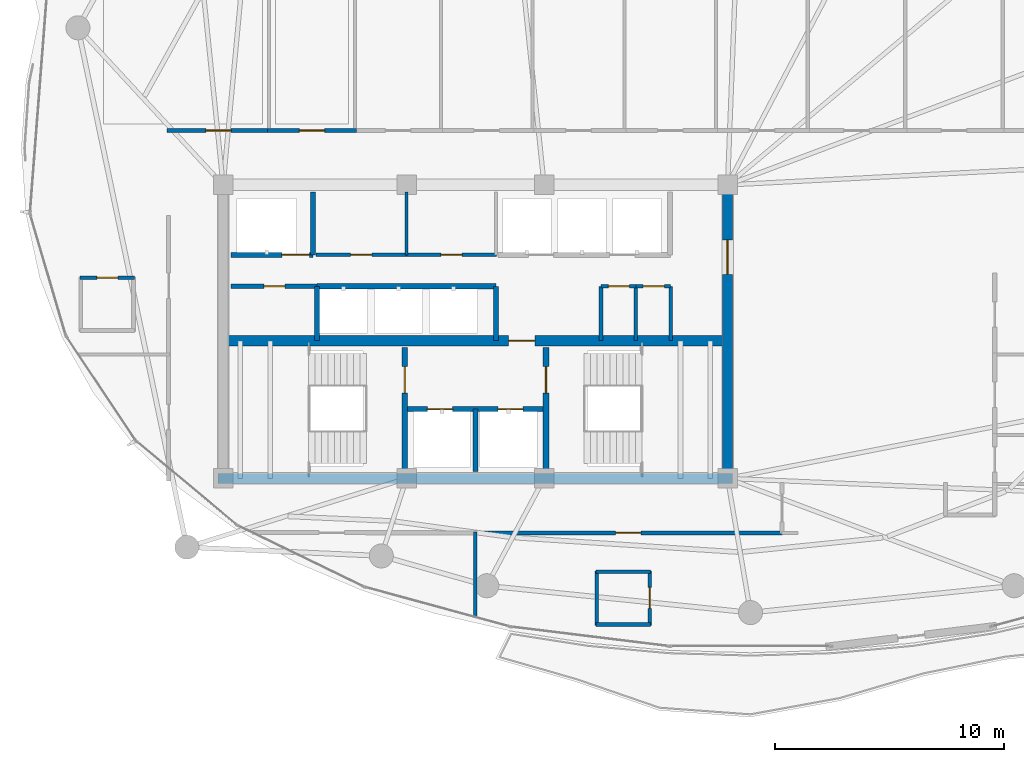
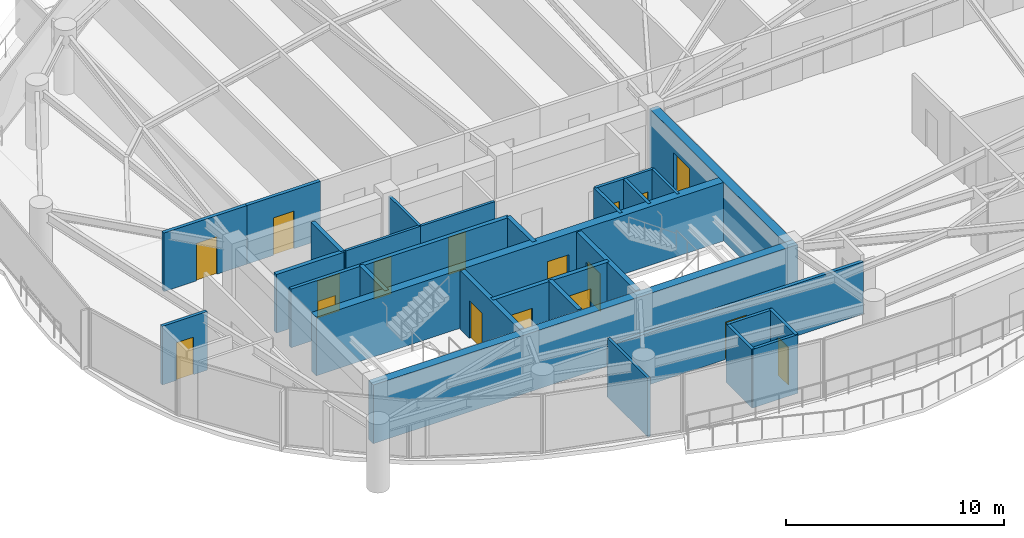
# One storey, part 25 of 31: 30 walls, 17 doors, 17 openings.
"""IFC4 building model written with IfcOpenShell, lengths in metres."""

import ifcopenshell
import ifcopenshell.guid

model = None  # the IFC model being written
_history = None  # IfcOwnerHistory: only IFC2X3 demands one
_inside = {}  # id of a spatial element -> (the spatial element, [elements in it])
_under = {}  # id of a project, library or spatial element -> (it, [spatial elements below it])
_declared = {}  # id of a project -> (the project, [libraries it declares])
_typed = {}  # id of a type object -> (the type object, [elements of that type])
_made_of = {}  # id of a material, layer set ... -> (it, [elements and type objects made of it])


def new_model(schema):
    """Start an empty IFC model of exactly this schema.

    Asked for "IFC4X3", IfcOpenShell would pick the latest addendum, in which some entities
    have other attributes; the version numbers below select the first issue.
    IFC2X3 requires an IfcOwnerHistory on every rooted entity: one is made here for all.
    """
    global model, _history
    if schema == "IFC4X3":
        model = ifcopenshell.file(schema_version=(4, 3, 0, 0))
    else:
        model = ifcopenshell.file(schema=schema)
    _inside.clear()
    _under.clear()
    _declared.clear()
    _typed.clear()
    _made_of.clear()
    _history = None
    if model.schema == "IFC2X3":
        org = make("IfcOrganization", Name="unknown")
        user = make(
            "IfcPersonAndOrganization",
            ThePerson=make("IfcPerson", FamilyName="unknown"),
            TheOrganization=org,
        )
        app = make(
            "IfcApplication",
            ApplicationDeveloper=org,
            Version="unknown",
            ApplicationFullName="unknown",
            ApplicationIdentifier="unknown",
        )
        _history = make(
            "IfcOwnerHistory",
            OwningUser=user,
            OwningApplication=app,
            ChangeAction="ADDED",
            CreationDate=0,
        )
    return model


def make(cls, **values):
    """One entity of the class cls with the attributes given. An attribute that is None is left unset."""
    return model.create_entity(
        cls, **{name: value for name, value in values.items() if value is not None}
    )


def rooted(cls, **values):
    """An entity with a GlobalId (a new one), such as an element, a storey or a relation."""
    return make(cls, GlobalId=ifcopenshell.guid.new(), OwnerHistory=_history, **values)


def si_unit(unit_type, name, prefix=None):
    """IfcSIUnit, for example si_unit("LENGTHUNIT", "METRE", prefix="MILLI")."""
    return make("IfcSIUnit", UnitType=unit_type, Prefix=prefix, Name=name)


def assignment(units):
    """IfcUnitAssignment: the units of a project."""
    return None if units is None else make("IfcUnitAssignment", Units=units)


def point(xyz):
    """IfcCartesianPoint."""
    return None if xyz is None else make("IfcCartesianPoint", Coordinates=xyz)


def direction(xyz):
    """IfcDirection."""
    return None if xyz is None else make("IfcDirection", DirectionRatios=xyz)


def frame(location, z_axis=None, x_axis=None):
    """IfcAxis2Placement3D, a coordinate frame: its origin and axes. An axis left out is left unset."""
    return make(
        "IfcAxis2Placement3D",
        Location=point(location),
        Axis=direction(z_axis),
        RefDirection=direction(x_axis),
    )


def frame_2d(location, x_axis=None):
    """IfcAxis2Placement2D, a coordinate frame in the plane: its origin and x axis."""
    return make(
        "IfcAxis2Placement2D", Location=point(location), RefDirection=direction(x_axis)
    )


def origin():
    """The frame at (0, 0, 0) with its axes left unset."""
    return frame((0.0, 0.0, 0.0))


def place(relative_to, where):
    """IfcLocalPlacement: puts the frame where relative to a parent placement (None: the world)."""
    return make(
        "IfcLocalPlacement", PlacementRelTo=relative_to, RelativePlacement=where
    )


def context(
    kind, dimensions, precision=None, world=None, true_north=None, identifier=None
):
    """IfcGeometricRepresentationContext, for example the 3D "Model" context."""
    return make(
        "IfcGeometricRepresentationContext",
        ContextIdentifier=identifier,
        ContextType=kind,
        CoordinateSpaceDimension=dimensions,
        Precision=precision,
        WorldCoordinateSystem=world,
        TrueNorth=true_north,
    )


def subcontext(parent, identifier, kind, view, scale=None):
    """IfcGeometricRepresentationSubContext, for example "Body" below "Model"."""
    return make(
        "IfcGeometricRepresentationSubContext",
        ContextIdentifier=identifier,
        ContextType=kind,
        ParentContext=parent,
        TargetScale=scale,
        TargetView=view,
    )


def project(units=None, contexts=None):
    """IfcProject with its units and contexts."""
    return rooted(
        "IfcProject",
        Name="project",
        RepresentationContexts=contexts,
        UnitsInContext=assignment(units),
    )


def spatial(cls, under=None, at=None, **own):
    """A site, building, storey or space (cls), placed at a placement, below another one or the project."""
    s = rooted(cls, ObjectPlacement=at, **own)
    if under is not None:
        _under.setdefault(under.id(), (under, []))[1].append(s)
    return s


def profile(cls, at=None, kind="AREA", **sizes):
    """A parametric profile (cls). Its sizes go by their IFC names, for example OverallWidth=200.0."""
    return make(cls, ProfileType=kind, Position=at, **sizes)


def rectangle(**sizes):
    """IfcRectangleProfileDef."""
    return profile("IfcRectangleProfileDef", **sizes)


def extrude(swept, where, along, depth):
    """IfcExtrudedAreaSolid: the profile swept, set in the frame where, extruded along a direction by depth."""
    return make(
        "IfcExtrudedAreaSolid",
        SweptArea=swept,
        Position=where,
        ExtrudedDirection=direction(along),
        Depth=depth,
    )


def shape(context_of_items, identifier, shape_type, items):
    """IfcShapeRepresentation: the items that make up one representation, for example the "Body"."""
    return make(
        "IfcShapeRepresentation",
        ContextOfItems=context_of_items,
        RepresentationIdentifier=identifier,
        RepresentationType=shape_type,
        Items=items,
    )


def material(Name=None, Category=None):
    """IfcMaterial."""
    return make("IfcMaterial", Name=Name, Category=Category)


def layer(
    of_material, thickness, ventilated=None, Name=None, Category=None, Priority=None
):
    """IfcMaterialLayer: one layer of a wall or slab, of a material (None: an air gap)."""
    return make(
        "IfcMaterialLayer",
        Material=of_material,
        LayerThickness=thickness,
        IsVentilated=ventilated,
        Name=Name,
        Category=Category,
        Priority=Priority,
    )


def layer_set(layers, Name=None):
    """IfcMaterialLayerSet."""
    return make("IfcMaterialLayerSet", MaterialLayers=layers, LayerSetName=Name)


def made_of(thing, what):
    """Note that an element or type object is made of a material, layer set ...; save() writes the relation."""
    if what is not None:
        _made_of.setdefault(what.id(), (what, []))[1].append(thing)
    return thing


def type_object(cls, material=None, **own):
    """A type object (cls), such as IfcWallType, which elements share."""
    return made_of(rooted(cls, **own), material)


def element(
    cls,
    number,
    at=None,
    inside=None,
    cuts=None,
    type_object=None,
    material=None,
    context=None,
    identifier="Body",
    shape_type=None,
    held_by="IfcProductDefinitionShape",
    body=None,
    shapes=None,
    **own,
):
    """One element of the class cls, such as IfcWall. Its Tag is "e" and its number.

    at: its placement. inside: the storey or other place that contains it. cuts: it is an
    opening in that element (IfcRelVoidsElement). A single representation is given by context,
    identifier, shape_type and body (its items); several are given by shapes. held_by: the class
    of the entity that holds the representations. save() writes the other relations.
    """
    e = rooted(cls, Tag="e%d" % number, ObjectPlacement=at, **own)
    if body is not None:
        shapes = [shape(context, identifier, shape_type, body)]
    if shapes is not None:
        e.Representation = make(held_by, Representations=shapes)
    if inside is not None:
        _inside.setdefault(inside.id(), (inside, []))[1].append(e)
    if cuts is not None:
        rooted(
            "IfcRelVoidsElement", RelatingBuildingElement=cuts, RelatedOpeningElement=e
        )
    if type_object is not None:
        _typed.setdefault(type_object.id(), (type_object, []))[1].append(e)
    return made_of(e, material)


def fill(opening, filler):
    """IfcRelFillsElement: the door or window that sits in an opening."""
    return rooted(
        "IfcRelFillsElement",
        RelatingOpeningElement=opening,
        RelatedBuildingElement=filler,
    )


def aggregate(whole, parts):
    """IfcRelAggregates: a whole, such as a stair, and the parts it consists of."""
    return rooted("IfcRelAggregates", RelatingObject=whole, RelatedObjects=parts)


def save(model, path):
    """Write the relations noted so far, then the file.

    IfcRelAggregates (storeys below a building ...), IfcRelContainedInSpatialStructure (elements
    in a storey), IfcRelDefinesByType, IfcRelAssociatesMaterial and IfcRelDeclares: one each for
    every whole, place, type object, material and project.
    """
    for whole, parts in _under.values():
        aggregate(whole, parts)
    for where, things in _inside.values():
        rooted(
            "IfcRelContainedInSpatialStructure",
            RelatedElements=things,
            RelatingStructure=where,
        )
    for kind, things in _typed.values():
        rooted("IfcRelDefinesByType", RelatedObjects=things, RelatingType=kind)
    for what, things in _made_of.values():
        rooted("IfcRelAssociatesMaterial", RelatedObjects=things, RelatingMaterial=what)
    for by, libraries in _declared.values():
        rooted("IfcRelDeclares", RelatingContext=by, RelatedDefinitions=libraries)
    model.write(path)


model = new_model("IFC4")

# Units and contexts
model_context = context("Model", 3, precision=1e-05, world=origin(), true_north=direction((0.0, 1.0)))
body_context = subcontext(model_context, "Body", "Model", "MODEL_VIEW")
ifc_project = project(units=[si_unit("LENGTHUNIT", "METRE"), si_unit("AREAUNIT", "SQUARE_METRE"), si_unit("VOLUMEUNIT", "CUBIC_METRE"), si_unit("PLANEANGLEUNIT", "RADIAN"), si_unit("MASSUNIT", "GRAM", prefix="KILO")], contexts=[model_context])

# Site, building, storey
site_placement = place(None, origin())
site = spatial("IfcSite", under=ifc_project, at=site_placement, CompositionType="ELEMENT")
building_placement = place(site_placement, origin())
building = spatial("IfcBuilding", under=site, at=building_placement, Name="Kazevale Care Tower and Concert Hall", CompositionType="ELEMENT")
storey_placement = place(building_placement, frame((0.0, 0.0, 187.199951171875)))
storey = spatial("IfcBuildingStorey", under=building, at=storey_placement, Name="L49", CompositionType="ELEMENT", Elevation=187.199951171875)

# Wall, opening, door
ifc_material_1 = material(Name="Acoustic Gypsum on Steel Stud", Category="steel")
ifc_layer_1 = layer(ifc_material_1, 0.139892578125)
ifc_layer_set_1 = layer_set([ifc_layer_1], Name="Acoustic Gypsum on Steel Stud")
wall_type_1 = type_object("IfcWallType", Name="Acoustic Care & Suite Partition 140", PredefinedType="PARTITIONING", material=ifc_layer_set_1)
wall_1_placement = place(storey_placement, frame((26.050048828125, 33.35009765625, 0.0), z_axis=(0.0, 0.0, 1.0), x_axis=(1.0, 0.0, 0.0)))
wall_1 = element("IfcWall", 1, at=wall_1_placement, inside=storey, type_object=wall_type_1, Name="wall:L49:c_rpl1_s", PredefinedType="PARTITIONING", context=body_context, shape_type="SweptSolid", body=[
    extrude(rectangle(XDim=3.949951171875, YDim=0.139892578125, at=frame_2d((1.97509765625, 0.0))), origin(), (0.0, 0.0, 1.0), 3.280029296875),
])
opening_1_placement = place(wall_1_placement, frame((1.514892578125, 0.0, 0.0)))
opening_1 = element("IfcOpeningElement", 2, at=opening_1_placement, cuts=wall_1, Name="Opening ID-900", PredefinedType="OPENING", context=body_context, shape_type="SweptSolid", body=[
    extrude(rectangle(XDim=0.919921875, YDim=2.10009765625, at=frame_2d((0.4599609375, 1.050048828125))), frame((0.0, 0.079833984375, 0.0), z_axis=(0.0, -1.0, 0.0), x_axis=(1.0, 0.0, 0.0)), (0.0, 0.0, 1.0), 0.159912109375),
])
ifc_material_2 = material(Name="Oak Timber Fire Leaf", Category="wood")
door_type_1 = type_object("IfcDoorType", Name="Bathroom & Service Door 920x2100", OperationType="NOTDEFINED", PredefinedType="DOOR", material=ifc_material_2)
door_1_placement = place(opening_1_placement, origin())
door_1 = element("IfcDoor", 3, at=door_1_placement, inside=storey, type_object=door_type_1, Name="door:L49:d_rpl1", OperationType="SINGLE_SWING_LEFT", OverallHeight=2.10009765625, OverallWidth=0.919921875, PredefinedType="DOOR", context=body_context, shape_type="SweptSolid", body=[
    extrude(rectangle(XDim=0.919921875, YDim=2.10009765625, at=frame_2d((0.4599609375, 1.050048828125))), frame((0.0, 0.02490234375, 0.0), z_axis=(0.0, -1.0, 0.0), x_axis=(1.0, 0.0, 0.0)), (0.0, 0.0, 1.0), 0.050048828125),
])
fill(opening_1, door_1)

wall_2_placement = place(storey_placement, frame((30.0, 33.35009765625, 0.0), z_axis=(0.0, 0.0, 1.0), x_axis=(1.0, 0.0, 0.0)))
wall_2 = element("IfcWall", 4, at=wall_2_placement, inside=storey, type_object=wall_type_1, Name="wall:L49:c_rpl2_s", PredefinedType="PARTITIONING", context=body_context, shape_type="SweptSolid", body=[
    extrude(rectangle(XDim=3.919921875, YDim=0.139892578125, at=frame_2d((1.9599609375, 0.0))), origin(), (0.0, 0.0, 1.0), 3.280029296875),
])
opening_2_placement = place(wall_2_placement, frame((1.5, 0.0, 0.0)))
opening_2 = element("IfcOpeningElement", 5, at=opening_2_placement, cuts=wall_2, Name="Opening ID-900", PredefinedType="OPENING", context=body_context, shape_type="SweptSolid", body=[
    extrude(rectangle(XDim=0.919921875, YDim=2.10009765625, at=frame_2d((0.4599609375, 1.050048828125))), frame((0.0, 0.079833984375, 0.0), z_axis=(0.0, -1.0, 0.0), x_axis=(1.0, 0.0, 0.0)), (0.0, 0.0, 1.0), 0.159912109375),
])
door_2_placement = place(opening_2_placement, origin())
door_2 = element("IfcDoor", 6, at=door_2_placement, inside=storey, type_object=door_type_1, Name="door:L49:d_rpl2", OperationType="SINGLE_SWING_RIGHT", OverallHeight=2.10009765625, OverallWidth=0.919921875, PredefinedType="DOOR", context=body_context, shape_type="SweptSolid", body=[
    extrude(rectangle(XDim=0.919921875, YDim=2.10009765625, at=frame_2d((0.4599609375, 1.050048828125))), frame((0.0, 0.02490234375, 0.0), z_axis=(0.0, -1.0, 0.0), x_axis=(1.0, 0.0, 0.0)), (0.0, 0.0, 1.0), 0.050048828125),
])
fill(opening_2, door_2)

# Walls
wall_3_placement = place(storey_placement, frame((30.0, 33.35009765625, 0.0), z_axis=(0.0, 0.0, 1.0), x_axis=(0.0, 1.0, 0.0)))
element("IfcWall", 7, at=wall_3_placement, inside=storey, type_object=wall_type_1, Name="wall:L49:c_rpl_m", PredefinedType="PARTITIONING", context=body_context, shape_type="SweptSolid", body=[
    extrude(rectangle(XDim=2.75, YDim=0.139892578125, at=frame_2d((1.375, 0.0))), origin(), (0.0, 0.0, 1.0), 3.280029296875),
])
wall_4_placement = place(storey_placement, frame((41.52001953125, 29.6201171875, 0.0), z_axis=(0.0, 0.0, 1.0), x_axis=(0.0, 1.0, 0.0)))
element("IfcWall", 8, at=wall_4_placement, inside=storey, type_object=wall_type_1, Name="wall:L49:ka_ee", PredefinedType="PARTITIONING", context=body_context, shape_type="SweptSolid", body=[
    extrude(rectangle(XDim=2.35986328125, YDim=0.139892578125, at=frame_2d((1.179931640625, 0.0))), origin(), (0.0, 0.0, 1.0), 3.280029296875),
])

# Wall, opening, door
wall_5_placement = place(storey_placement, frame((40.0, 31.97998046875, 0.0), z_axis=(0.0, 0.0, 1.0), x_axis=(1.0, 0.0, 0.0)))
wall_5 = element("IfcWall", 9, at=wall_5_placement, inside=storey, type_object=wall_type_1, Name="wall:L49:ka_en2", PredefinedType="PARTITIONING", context=body_context, shape_type="SweptSolid", body=[
    extrude(rectangle(XDim=1.52001953125, YDim=0.139892578125, at=frame_2d((0.760009765625, 0.0))), origin(), (0.0, 0.0, 1.0), 3.280029296875),
])
opening_3_placement = place(wall_5_placement, frame((0.320068359375, 0.0, 0.0)))
opening_3 = element("IfcOpeningElement", 10, at=opening_3_placement, cuts=wall_5, Name="Opening ID-900", PredefinedType="OPENING", context=body_context, shape_type="SweptSolid", body=[
    extrude(rectangle(XDim=0.919921875, YDim=2.10009765625, at=frame_2d((0.4599609375, 1.050048828125))), frame((0.0, 0.079833984375, 0.0), z_axis=(0.0, -1.0, 0.0), x_axis=(1.0, 0.0, 0.0)), (0.0, 0.0, 1.0), 0.159912109375),
])
door_3_placement = place(opening_3_placement, origin())
door_3 = element("IfcDoor", 11, at=door_3_placement, inside=storey, type_object=door_type_1, Name="door:L49:d_kae2", OperationType="SINGLE_SWING_RIGHT", OverallHeight=2.10009765625, OverallWidth=0.919921875, PredefinedType="DOOR", context=body_context, shape_type="SweptSolid", body=[
    extrude(rectangle(XDim=0.919921875, YDim=2.10009765625, at=frame_2d((0.4599609375, 1.050048828125))), frame((0.0, 0.02490234375, 0.0), z_axis=(0.0, -1.0, 0.0), x_axis=(1.0, 0.0, 0.0)), (0.0, 0.0, 1.0), 0.050048828125),
])
fill(opening_3, door_3)

# Walls
wall_6_placement = place(storey_placement, frame((33.0, 21.2548828125, 0.0), z_axis=(0.0, 0.0, 1.0), x_axis=(0.0, -1.0, 0.0)))
element("IfcWall", 12, at=wall_6_placement, inside=storey, type_object=wall_type_1, Name="wall:L49:auto_039", PredefinedType="PARTITIONING", context=body_context, shape_type="SweptSolid", body=[
    extrude(rectangle(XDim=3.69482421875, YDim=0.139892578125, at=frame_2d((1.847412109375, 0.0))), origin(), (0.0, 0.0, 1.0), 3.280029296875),
])
ifc_material_3 = material(Name="Concrete C50", Category="concrete")
ifc_layer_2 = layer(ifc_material_3, 0.449951171875)
ifc_layer_set_2 = layer_set([ifc_layer_2], Name="Concrete C50")
wall_type_2 = type_object("IfcWallType", Name="Core Shear Wall 450 C50", PredefinedType="SHEAR", material=ifc_layer_set_2)
wall_7_placement = place(storey_placement, frame((21.77490234375, 23.60009765625, 0.0), z_axis=(0.0, 0.0, 1.0), x_axis=(1.0, 0.0, 0.0)))
element("IfcWall", 13, at=wall_7_placement, inside=storey, type_object=wall_type_2, Name="wall:L49:core:S", PredefinedType="SHEAR", context=body_context, shape_type="SweptSolid", body=[
    extrude(rectangle(XDim=22.4501953125, YDim=0.449951171875, at=frame_2d((11.22509765625, 0.0))), origin(), (0.0, 0.0, 1.0), 3.280029296875),
])

# Wall, opening, door
wall_8_placement = place(storey_placement, frame((44.0, 23.824951171875, 0.0), z_axis=(0.0, 0.0, 1.0), x_axis=(0.0, 1.0, 0.0)))
wall_8 = element("IfcWall", 14, at=wall_8_placement, inside=storey, type_object=wall_type_2, Name="wall:L49:core:E", PredefinedType="SHEAR", context=body_context, shape_type="SweptSolid", body=[
    extrude(rectangle(XDim=12.35009765625, YDim=0.449951171875, at=frame_2d((6.175048828125, 0.0))), origin(), (0.0, 0.0, 1.0), 3.280029296875),
])
opening_4_placement = place(wall_8_placement, frame((8.675048828125, 0.0, 0.0)))
opening_4 = element("IfcOpeningElement", 15, at=opening_4_placement, cuts=wall_8, Name="Opening FD-60D", PredefinedType="OPENING", context=body_context, shape_type="SweptSolid", body=[
    extrude(rectangle(XDim=1.5, YDim=2.14990234375, at=frame_2d((0.75, 1.074951171875))), frame((0.0, 0.23486328125, 0.0), z_axis=(0.0, -1.0, 0.0), x_axis=(1.0, 0.0, 0.0)), (0.0, 0.0, 1.0), 0.469970703125),
])
door_type_2 = type_object("IfcDoorType", Name="Double Lobby & Auditorium Fire Door 1500x2150", OperationType="NOTDEFINED", PredefinedType="DOOR", material=ifc_material_2)
door_4_placement = place(opening_4_placement, origin())
door_4 = element("IfcDoor", 16, at=door_4_placement, inside=storey, type_object=door_type_2, Name="door:L49:core_east_out", OperationType="DOUBLE_DOOR_SINGLE_SWING", OverallHeight=2.14990234375, OverallWidth=1.5, PredefinedType="DOOR", context=body_context, shape_type="SweptSolid", body=[
    extrude(rectangle(XDim=1.5, YDim=2.14990234375, at=frame_2d((0.75, 1.074951171875))), frame((0.0, 0.02490234375, 0.0), z_axis=(0.0, -1.0, 0.0), x_axis=(1.0, 0.0, 0.0)), (0.0, 0.0, 1.0), 0.050048828125),
])
fill(opening_4, door_4)

wall_9_placement = place(storey_placement, frame((22.22509765625, 29.60009765625, 0.0), z_axis=(0.0, 0.0, 1.0), x_axis=(1.0, 0.0, 0.0)))
wall_9 = element("IfcWall", 17, at=wall_9_placement, inside=storey, type_object=wall_type_2, Name="wall:L49:core:M", PredefinedType="SHEAR", context=body_context, shape_type="SweptSolid", body=[
    extrude(rectangle(XDim=21.5498046875, YDim=0.449951171875, at=frame_2d((10.77490234375, 0.0))), origin(), (0.0, 0.0, 1.0), 3.280029296875),
])
opening_5_placement = place(wall_9_placement, frame((12.22509765625, 0.0, 0.0)))
opening_5 = element("IfcOpeningElement", 18, at=opening_5_placement, cuts=wall_9, Name="Opening FD-90", PredefinedType="OPENING", context=body_context, shape_type="SweptSolid", body=[
    extrude(rectangle(XDim=1.14990234375, YDim=2.10009765625, at=frame_2d((0.574951171875, 1.050048828125))), frame((0.0, 0.23486328125, 0.0), z_axis=(0.0, -1.0, 0.0), x_axis=(1.0, 0.0, 0.0)), (0.0, 0.0, 1.0), 0.469970703125),
])
ifc_material_4 = material(Name="Steel ASTM A572 Gr 50", Category="steel")
door_type_3 = type_object("IfcDoorType", Name="Pressurized Stair & Lobby Fire Door 1150x2100", OperationType="NOTDEFINED", PredefinedType="DOOR", material=ifc_material_4)
door_5_placement = place(opening_5_placement, origin())
door_5 = element("IfcDoor", 19, at=door_5_placement, inside=storey, type_object=door_type_3, Name="door:L49:ff_to_pax", OperationType="SINGLE_SWING_LEFT", OverallHeight=2.10009765625, OverallWidth=1.14990234375, PredefinedType="DOOR", context=body_context, shape_type="SweptSolid", body=[
    extrude(rectangle(XDim=1.14990234375, YDim=2.10009765625, at=frame_2d((0.574951171875, 1.050048828125))), frame((0.0, 0.02490234375, 0.0), z_axis=(0.0, -1.0, 0.0), x_axis=(1.0, 0.0, 0.0)), (0.0, 0.0, 1.0), 0.050048828125),
])
fill(opening_5, door_5)

# Wall, openings, doors
ifc_material_5 = material(Name="Concrete C40", Category="concrete")
ifc_layer_3 = layer(ifc_material_5, 0.219970703125)
ifc_layer_set_3 = layer_set([ifc_layer_3], Name="Concrete C40")
wall_type_3 = type_object("IfcWallType", Name="Elevator Hoistway Shaft Wall 220", PredefinedType="SOLIDWALL", material=ifc_layer_set_3)
wall_10_placement = place(storey_placement, frame((29.919921875, 26.6201171875, 0.0), z_axis=(0.0, 0.0, 1.0), x_axis=(1.0, 0.0, 0.0)))
wall_10 = element("IfcWall", 20, at=wall_10_placement, inside=storey, type_object=wall_type_3, Name="wall:L49:c_ffl_n", PredefinedType="SOLIDWALL", context=body_context, shape_type="SweptSolid", body=[
    extrude(rectangle(XDim=6.16015625, YDim=0.219970703125, at=frame_2d((3.080078125, 0.0))), origin(), (0.0, 0.0, 1.0), 3.280029296875),
])
opening_6_placement = place(wall_10_placement, frame((0.989990234375, 0.0, 0.0)))
opening_6 = element("IfcOpeningElement", 21, at=opening_6_placement, cuts=wall_10, Name="Opening LD-FF", PredefinedType="OPENING", context=body_context, shape_type="SweptSolid", body=[
    extrude(rectangle(XDim=1.10009765625, YDim=2.10009765625, at=frame_2d((0.550048828125, 1.050048828125))), frame((0.0, 0.119873046875, 0.0), z_axis=(0.0, -1.0, 0.0), x_axis=(1.0, 0.0, 0.0)), (0.0, 0.0, 1.0), 0.239990234375),
])
opening_7_placement = place(wall_10_placement, frame((4.070068359375, 0.0, 0.0)))
opening_7 = element("IfcOpeningElement", 22, at=opening_7_placement, cuts=wall_10, Name="Opening LD-FF", PredefinedType="OPENING", context=body_context, shape_type="SweptSolid", body=[
    extrude(rectangle(XDim=1.10009765625, YDim=2.10009765625, at=frame_2d((0.550048828125, 1.050048828125))), frame((0.0, 0.119873046875, 0.0), z_axis=(0.0, -1.0, 0.0), x_axis=(1.0, 0.0, 0.0)), (0.0, 0.0, 1.0), 0.239990234375),
])
ifc_material_6 = material(Name="Stainless Steel 316", Category="steel")
door_type_4 = type_object("IfcDoorType", Name="Emergency Lift Sliding Landing Door 1100x2100", OperationType="NOTDEFINED", PredefinedType="DOOR", material=ifc_material_6)
door_6_placement = place(opening_6_placement, origin())
door_6 = element("IfcDoor", 23, at=door_6_placement, inside=storey, type_object=door_type_4, Name="door:L49:ld_ffl1", OperationType="SLIDING_TO_LEFT", OverallHeight=2.10009765625, OverallWidth=1.10009765625, PredefinedType="DOOR", context=body_context, shape_type="SweptSolid", body=[
    extrude(rectangle(XDim=1.10009765625, YDim=2.10009765625, at=frame_2d((0.550048828125, 1.050048828125))), frame((0.0, 0.02490234375, 0.0), z_axis=(0.0, -1.0, 0.0), x_axis=(1.0, 0.0, 0.0)), (0.0, 0.0, 1.0), 0.050048828125),
])
fill(opening_6, door_6)
door_7_placement = place(opening_7_placement, origin())
door_7 = element("IfcDoor", 24, at=door_7_placement, inside=storey, type_object=door_type_4, Name="door:L49:ld_ffl2", OperationType="SLIDING_TO_RIGHT", OverallHeight=2.10009765625, OverallWidth=1.10009765625, PredefinedType="DOOR", context=body_context, shape_type="SweptSolid", body=[
    extrude(rectangle(XDim=1.10009765625, YDim=2.10009765625, at=frame_2d((0.550048828125, 1.050048828125))), frame((0.0, 0.02490234375, 0.0), z_axis=(0.0, -1.0, 0.0), x_axis=(1.0, 0.0, 0.0)), (0.0, 0.0, 1.0), 0.050048828125),
])
fill(opening_7, door_7)

# Walls
wall_11_placement = place(storey_placement, frame((33.0, 23.89990234375, 0.0), z_axis=(0.0, 0.0, 1.0), x_axis=(0.0, 1.0, 0.0)))
element("IfcWall", 25, at=wall_11_placement, inside=storey, type_object=wall_type_3, Name="wall:L49:c_ffl_m", PredefinedType="SOLIDWALL", context=body_context, shape_type="SweptSolid", body=[
    extrude(rectangle(XDim=2.72021484375, YDim=0.219970703125, at=frame_2d((1.360107421875, 0.0))), origin(), (0.0, 0.0, 1.0), 3.280029296875),
])
wall_12_placement = place(storey_placement, frame((25.919921875, 33.35009765625, 0.0), z_axis=(0.0, 0.0, 1.0), x_axis=(0.0, 1.0, 0.0)))
element("IfcWall", 26, at=wall_12_placement, inside=storey, type_object=wall_type_3, Name="wall:L49:c_svl_e", PredefinedType="SOLIDWALL", context=body_context, shape_type="SweptSolid", body=[
    extrude(rectangle(XDim=2.72998046875, YDim=0.219970703125, at=frame_2d((1.364990234375, 0.0))), origin(), (0.0, 0.0, 1.0), 3.280029296875),
])

# Wall, opening, door
wall_13_placement = place(storey_placement, frame((22.35009765625, 33.35009765625, 0.0), z_axis=(0.0, 0.0, 1.0), x_axis=(1.0, 0.0, 0.0)))
wall_13 = element("IfcWall", 27, at=wall_13_placement, inside=storey, type_object=wall_type_3, Name="wall:L49:c_svl_s", PredefinedType="SOLIDWALL", context=body_context, shape_type="SweptSolid", body=[
    extrude(rectangle(XDim=3.56982421875, YDim=0.219970703125, at=frame_2d((1.784912109375, 0.0))), origin(), (0.0, 0.0, 1.0), 3.280029296875),
])
opening_8_placement = place(wall_13_placement, frame((2.212890625, 0.0, 0.0)))
opening_8 = element("IfcOpeningElement", 28, at=opening_8_placement, cuts=wall_13, Name="Opening LD-SV", PredefinedType="OPENING", context=body_context, shape_type="SweptSolid", body=[
    extrude(rectangle(XDim=1.199951171875, YDim=2.10009765625, at=frame_2d((0.60009765625, 1.050048828125))), frame((0.0, 0.119873046875, 0.0), z_axis=(0.0, -1.0, 0.0), x_axis=(1.0, 0.0, 0.0)), (0.0, 0.0, 1.0), 0.239990234375),
])
door_type_5 = type_object("IfcDoorType", Name="Service Lift Sliding Landing Door 1200x2100", OperationType="NOTDEFINED", PredefinedType="DOOR", material=ifc_material_6)
door_8_placement = place(opening_8_placement, origin())
door_8 = element("IfcDoor", 29, at=door_8_placement, inside=storey, type_object=door_type_5, Name="door:L49:ld_svl1", OperationType="SLIDING_TO_LEFT", OverallHeight=2.10009765625, OverallWidth=1.199951171875, PredefinedType="DOOR", context=body_context, shape_type="SweptSolid", body=[
    extrude(rectangle(XDim=1.199951171875, YDim=2.10009765625, at=frame_2d((0.60009765625, 1.050048828125))), frame((0.0, 0.02490234375, 0.0), z_axis=(0.0, -1.0, 0.0), x_axis=(1.0, 0.0, 0.0)), (0.0, 0.0, 1.0), 0.050048828125),
])
fill(opening_8, door_8)

# Walls
wall_14_placement = place(storey_placement, frame((26.10009765625, 29.6201171875, 0.0), z_axis=(0.0, 0.0, 1.0), x_axis=(0.0, 1.0, 0.0)))
element("IfcWall", 30, at=wall_14_placement, inside=storey, type_object=wall_type_3, Name="wall:L49:c_ph_w", PredefinedType="SOLIDWALL", context=body_context, shape_type="SweptSolid", body=[
    extrude(rectangle(XDim=2.35986328125, YDim=0.219970703125, at=frame_2d((1.179931640625, 0.0))), origin(), (0.0, 0.0, 1.0), 3.280029296875),
])
wall_15_placement = place(storey_placement, frame((26.10009765625, 31.97998046875, 0.0), z_axis=(0.0, 0.0, 1.0), x_axis=(1.0, 0.0, 0.0)))
element("IfcWall", 31, at=wall_15_placement, inside=storey, type_object=wall_type_3, Name="wall:L49:c_ph_n", PredefinedType="SOLIDWALL", context=body_context, shape_type="SweptSolid", body=[
    extrude(rectangle(XDim=7.7998046875, YDim=0.219970703125, at=frame_2d((3.89990234375, 0.0))), origin(), (0.0, 0.0, 1.0), 3.280029296875),
])
wall_16_placement = place(storey_placement, frame((33.89990234375, 29.6201171875, 0.0), z_axis=(0.0, 0.0, 1.0), x_axis=(0.0, 1.0, 0.0)))
element("IfcWall", 32, at=wall_16_placement, inside=storey, type_object=wall_type_3, Name="wall:L49:c_ph_e", PredefinedType="SOLIDWALL", context=body_context, shape_type="SweptSolid", body=[
    extrude(rectangle(XDim=2.35986328125, YDim=0.219970703125, at=frame_2d((1.179931640625, 0.0))), origin(), (0.0, 0.0, 1.0), 3.280029296875),
])

# Wall, opening, door
ifc_material_7 = material(Name="Concrete C40 and Acoustic Gypsum", Category="concrete")
ifc_layer_4 = layer(ifc_material_7, 0.179931640625)
ifc_layer_set_4 = layer_set([ifc_layer_4], Name="Concrete C40 and Acoustic Gypsum")
wall_type_4 = type_object("IfcWallType", Name="Fire-Rated Corridor & Party Wall 180", PredefinedType="PARTITIONING", material=ifc_layer_set_4)
wall_17_placement = place(storey_placement, frame((22.35009765625, 31.97998046875, 0.0), z_axis=(0.0, 0.0, 1.0), x_axis=(1.0, 0.0, 0.0)))
wall_17 = element("IfcWall", 33, at=wall_17_placement, inside=storey, type_object=wall_type_4, Name="wall:L49:ka_wn1", PredefinedType="PARTITIONING", context=body_context, shape_type="SweptSolid", body=[
    extrude(rectangle(XDim=3.75, YDim=0.179931640625, at=frame_2d((1.875, 0.0))), origin(), (0.0, 0.0, 1.0), 3.280029296875),
])
opening_9_placement = place(wall_17_placement, frame((1.425048828125, 0.0, 0.0)))
opening_9 = element("IfcOpeningElement", 34, at=opening_9_placement, cuts=wall_17, Name="Opening ID-900", PredefinedType="OPENING", context=body_context, shape_type="SweptSolid", body=[
    extrude(rectangle(XDim=0.919921875, YDim=2.10009765625, at=frame_2d((0.4599609375, 1.050048828125))), frame((0.0, 0.099853515625, 0.0), z_axis=(0.0, -1.0, 0.0), x_axis=(1.0, 0.0, 0.0)), (0.0, 0.0, 1.0), 0.199951171875),
])
door_9_placement = place(opening_9_placement, origin())
door_9 = element("IfcDoor", 35, at=door_9_placement, inside=storey, type_object=door_type_1, Name="door:L49:d_kaw", OperationType="SINGLE_SWING_LEFT", OverallHeight=2.10009765625, OverallWidth=0.919921875, PredefinedType="DOOR", context=body_context, shape_type="SweptSolid", body=[
    extrude(rectangle(XDim=0.919921875, YDim=2.10009765625, at=frame_2d((0.4599609375, 1.050048828125))), frame((0.0, 0.02490234375, 0.0), z_axis=(0.0, -1.0, 0.0), x_axis=(1.0, 0.0, 0.0)), (0.0, 0.0, 1.0), 0.050048828125),
])
fill(opening_9, door_9)

wall_18_placement = place(storey_placement, frame((19.544921875, 38.77490234375, 0.0), z_axis=(0.0, 0.0, 1.0), x_axis=(1.0, 0.0, 0.0)))
wall_18 = element("IfcWall", 36, at=wall_18_placement, inside=storey, type_object=wall_type_4, Name="wall:L49:auto_001", PredefinedType="PARTITIONING", context=body_context, shape_type="SweptSolid", body=[
    extrude(rectangle(XDim=4.52001953125, YDim=0.179931640625, at=frame_2d((2.260009765625, 0.0))), origin(), (0.0, 0.0, 1.0), 3.280029296875),
])
opening_10_placement = place(wall_18_placement, frame((1.7099609375, 0.0, 0.0)))
opening_10 = element("IfcOpeningElement", 37, at=opening_10_placement, cuts=wall_18, Name="Opening ID-1100", PredefinedType="OPENING", context=body_context, shape_type="SweptSolid", body=[
    extrude(rectangle(XDim=1.10009765625, YDim=2.10009765625, at=frame_2d((0.550048828125, 1.050048828125))), frame((0.0, 0.099853515625, 0.0), z_axis=(0.0, -1.0, 0.0), x_axis=(1.0, 0.0, 0.0)), (0.0, 0.0, 1.0), 0.199951171875),
])
door_type_6 = type_object("IfcDoorType", Name="Care Bedroom Accessible Door 1100x2100", OperationType="NOTDEFINED", PredefinedType="DOOR", material=ifc_material_2)
door_10_placement = place(opening_10_placement, origin())
door_10 = element("IfcDoor", 38, at=door_10_placement, inside=storey, type_object=door_type_6, Name="door:L49:ad_001", OperationType="SINGLE_SWING_LEFT", OverallHeight=2.10009765625, OverallWidth=1.10009765625, PredefinedType="DOOR", context=body_context, shape_type="SweptSolid", body=[
    extrude(rectangle(XDim=1.10009765625, YDim=2.10009765625, at=frame_2d((0.550048828125, 1.050048828125))), frame((0.0, 0.02490234375, 0.0), z_axis=(0.0, -1.0, 0.0), x_axis=(1.0, 0.0, 0.0)), (0.0, 0.0, 1.0), 0.050048828125),
])
fill(opening_10, door_10)

wall_19_placement = place(storey_placement, frame((23.93505859375, 38.77490234375, 0.0), z_axis=(0.0, 0.0, 1.0), x_axis=(1.0, 0.0, 0.0)))
wall_19 = element("IfcWall", 39, at=wall_19_placement, inside=storey, type_object=wall_type_4, Name="wall:L49:auto_002", PredefinedType="PARTITIONING", context=body_context, shape_type="SweptSolid", body=[
    extrude(rectangle(XDim=3.8798828125, YDim=0.179931640625, at=frame_2d((1.93994140625, 0.0))), origin(), (0.0, 0.0, 1.0), 3.280029296875),
])
opening_11_placement = place(wall_19_placement, frame((1.389892578125, 0.0, 0.0)))
opening_11 = element("IfcOpeningElement", 40, at=opening_11_placement, cuts=wall_19, Name="Opening ID-1100", PredefinedType="OPENING", context=body_context, shape_type="SweptSolid", body=[
    extrude(rectangle(XDim=1.10009765625, YDim=2.10009765625, at=frame_2d((0.550048828125, 1.050048828125))), frame((0.0, 0.099853515625, 0.0), z_axis=(0.0, -1.0, 0.0), x_axis=(1.0, 0.0, 0.0)), (0.0, 0.0, 1.0), 0.199951171875),
])
door_11_placement = place(opening_11_placement, origin())
door_11 = element("IfcDoor", 41, at=door_11_placement, inside=storey, type_object=door_type_6, Name="door:L49:ad_002", OperationType="SINGLE_SWING_LEFT", OverallHeight=2.10009765625, OverallWidth=1.10009765625, PredefinedType="DOOR", context=body_context, shape_type="SweptSolid", body=[
    extrude(rectangle(XDim=1.10009765625, YDim=2.10009765625, at=frame_2d((0.550048828125, 1.050048828125))), frame((0.0, 0.02490234375, 0.0), z_axis=(0.0, -1.0, 0.0), x_axis=(1.0, 0.0, 0.0)), (0.0, 0.0, 1.0), 0.050048828125),
])
fill(opening_11, door_11)

wall_20_placement = place(storey_placement, frame((46.405029296875, 21.22509765625, 0.0), z_axis=(0.0, 0.0, 1.0), x_axis=(-1.0, 0.0, 0.0)))
wall_20 = element("IfcWall", 42, at=wall_20_placement, inside=storey, type_object=wall_type_4, Name="wall:L49:auto_021", PredefinedType="PARTITIONING", context=body_context, shape_type="SweptSolid", body=[
    extrude(rectangle(XDim=13.469970703125, YDim=0.179931640625, at=frame_2d((6.73486328125, 0.0))), origin(), (0.0, 0.0, 1.0), 2.916015625),
])
opening_12_placement = place(wall_20_placement, frame((6.18505859375, 0.0, 0.0)))
opening_12 = element("IfcOpeningElement", 43, at=opening_12_placement, cuts=wall_20, Name="Opening ID-1100", PredefinedType="OPENING", context=body_context, shape_type="SweptSolid", body=[
    extrude(rectangle(XDim=1.10009765625, YDim=2.10009765625, at=frame_2d((0.550048828125, 1.050048828125))), frame((0.0, 0.099853515625, 0.0), z_axis=(0.0, -1.0, 0.0), x_axis=(1.0, 0.0, 0.0)), (0.0, 0.0, 1.0), 0.199951171875),
])
door_12_placement = place(opening_12_placement, origin())
door_12 = element("IfcDoor", 44, at=door_12_placement, inside=storey, type_object=door_type_6, Name="door:L49:ad_021", OperationType="SINGLE_SWING_LEFT", OverallHeight=2.10009765625, OverallWidth=1.10009765625, PredefinedType="DOOR", context=body_context, shape_type="SweptSolid", body=[
    extrude(rectangle(XDim=1.10009765625, YDim=2.10009765625, at=frame_2d((0.550048828125, 1.050048828125))), frame((0.0, 0.02490234375, 0.0), z_axis=(0.0, -1.0, 0.0), x_axis=(1.0, 0.0, 0.0)), (0.0, 0.0, 1.0), 0.050048828125),
])
fill(opening_12, door_12)

# Walls
ifc_layer_5 = layer(ifc_material_1, 0.159912109375)
ifc_layer_set_5 = layer_set([ifc_layer_5], Name="Acoustic Gypsum on Steel Stud")
wall_type_5 = type_object("IfcWallType", Name="Moisture-Resistant Bathroom Plumbing Wall 160", PredefinedType="PLUMBINGWALL", material=ifc_layer_set_5)
for number, where, z_axis, x_axis, name in (
    (45, (38.47998046875, 29.6201171875, 0.0), (0.0, 0.0, 1.0), (0.0, 1.0, 0.0), "wall:L49:ka_ew"),
    (46, (40.0, 29.6201171875, 0.0), (0.0, 0.0, 1.0), (0.0, 1.0, 0.0), "wall:L49:ka_em"),
):
    element("IfcWall", number, at=place(storey_placement, frame(where, z_axis=z_axis, x_axis=x_axis)), inside=storey, type_object=wall_type_5, Name=name, PredefinedType="PLUMBINGWALL", context=body_context, shape_type="SweptSolid", body=[
        extrude(rectangle(XDim=2.35986328125, YDim=0.159912109375, at=frame_2d((1.179931640625, 0.0))), origin(), (0.0, 0.0, 1.0), 3.280029296875),
    ])

# Wall, opening, door
wall_21_placement = place(storey_placement, frame((38.47998046875, 31.97998046875, 0.0), z_axis=(0.0, 0.0, 1.0), x_axis=(1.0, 0.0, 0.0)))
wall_21 = element("IfcWall", 47, at=wall_21_placement, inside=storey, type_object=wall_type_5, Name="wall:L49:ka_en1", PredefinedType="PLUMBINGWALL", context=body_context, shape_type="SweptSolid", body=[
    extrude(rectangle(XDim=1.52001953125, YDim=0.159912109375, at=frame_2d((0.760009765625, 0.0))), origin(), (0.0, 0.0, 1.0), 3.280029296875),
])
opening_13_placement = place(wall_21_placement, frame((0.320068359375, 0.0, 0.0)))
opening_13 = element("IfcOpeningElement", 48, at=opening_13_placement, cuts=wall_21, Name="Opening ID-900", PredefinedType="OPENING", context=body_context, shape_type="SweptSolid", body=[
    extrude(rectangle(XDim=0.919921875, YDim=2.10009765625, at=frame_2d((0.4599609375, 1.050048828125))), frame((0.0, 0.08984375, 0.0), z_axis=(0.0, -1.0, 0.0), x_axis=(1.0, 0.0, 0.0)), (0.0, 0.0, 1.0), 0.179931640625),
])
door_13_placement = place(opening_13_placement, origin())
door_13 = element("IfcDoor", 49, at=door_13_placement, inside=storey, type_object=door_type_1, Name="door:L49:d_kae1", OperationType="SINGLE_SWING_LEFT", OverallHeight=2.10009765625, OverallWidth=0.919921875, PredefinedType="DOOR", context=body_context, shape_type="SweptSolid", body=[
    extrude(rectangle(XDim=0.919921875, YDim=2.10009765625, at=frame_2d((0.4599609375, 1.050048828125))), frame((0.0, 0.02490234375, 0.0), z_axis=(0.0, -1.0, 0.0), x_axis=(1.0, 0.0, 0.0)), (0.0, 0.0, 1.0), 0.050048828125),
])
fill(opening_13, door_13)

# Walls
for number, where, z_axis, x_axis, name in (
    (50, (38.260009765625, 17.22998046875, 0.0), (0.0, 0.0, 1.0), (1.0, 0.0, 0.0), "wall:L49:sb2_ens_ws"),
    (51, (38.260009765625, 19.530029296875, 0.0), (0.0, 0.0, 1.0), (1.0, 0.0, 0.0), "wall:L49:sb2_ens_wn"),
):
    element("IfcWall", number, at=place(storey_placement, frame(where, z_axis=z_axis, x_axis=x_axis)), inside=storey, type_object=wall_type_5, Name=name, PredefinedType="PLUMBINGWALL", context=body_context, shape_type="SweptSolid", body=[
        extrude(rectangle(XDim=2.3798828125, YDim=0.159912109375, at=frame_2d((1.18994140625, 0.0))), origin(), (0.0, 0.0, 1.0), 3.280029296875),
    ])
wall_22_placement = place(storey_placement, frame((38.300048828125, 17.18994140625, 0.0), z_axis=(0.0, 0.0, 1.0), x_axis=(0.0, 1.0, 0.0)))
element("IfcWall", 52, at=wall_22_placement, inside=storey, type_object=wall_type_5, Name="wall:L49:sb2_ens_ww", PredefinedType="PLUMBINGWALL", context=body_context, shape_type="SweptSolid", body=[
    extrude(rectangle(XDim=2.380126953125, YDim=0.159912109375, at=frame_2d((1.18994140625, 0.0))), origin(), (0.0, 0.0, 1.0), 3.280029296875),
])

# Wall, opening, door
wall_23_placement = place(storey_placement, frame((40.60009765625, 17.18994140625, 0.0), z_axis=(0.0, 0.0, 1.0), x_axis=(0.0, 1.0, 0.0)))
wall_23 = element("IfcWall", 53, at=wall_23_placement, inside=storey, type_object=wall_type_5, Name="wall:L49:sb2_ens_we", PredefinedType="PLUMBINGWALL", context=body_context, shape_type="SweptSolid", body=[
    extrude(rectangle(XDim=2.380126953125, YDim=0.159912109375, at=frame_2d((1.18994140625, 0.0))), origin(), (0.0, 0.0, 1.0), 3.280029296875),
])
opening_14_placement = place(wall_23_placement, frame((0.739990234375, 0.0, 0.0)))
opening_14 = element("IfcOpeningElement", 54, at=opening_14_placement, cuts=wall_23, Name="Opening ID-900", PredefinedType="OPENING", context=body_context, shape_type="SweptSolid", body=[
    extrude(rectangle(XDim=0.919921875, YDim=2.10009765625, at=frame_2d((0.4599609375, 1.050048828125))), frame((0.0, 0.08984375, 0.0), z_axis=(0.0, -1.0, 0.0), x_axis=(1.0, 0.0, 0.0)), (0.0, 0.0, 1.0), 0.179931640625),
])
door_14_placement = place(opening_14_placement, origin())
door_14 = element("IfcDoor", 55, at=door_14_placement, inside=storey, type_object=door_type_1, Name="door:L49:sb2_ens_d", OperationType="SINGLE_SWING_LEFT", OverallHeight=2.10009765625, OverallWidth=0.919921875, PredefinedType="DOOR", context=body_context, shape_type="SweptSolid", body=[
    extrude(rectangle(XDim=0.919921875, YDim=2.10009765625, at=frame_2d((0.4599609375, 1.050048828125))), frame((0.0, 0.02490234375, 0.0), z_axis=(0.0, -1.0, 0.0), x_axis=(1.0, 0.0, 0.0)), (0.0, 0.0, 1.0), 0.050048828125),
])
fill(opening_14, door_14)

wall_24_placement = place(storey_placement, frame((15.75390625, 32.35009765625, 0.0), z_axis=(0.0, 0.0, 1.0), x_axis=(1.0, 0.0, 0.0)))
wall_24 = element("IfcWall", 56, at=wall_24_placement, inside=storey, type_object=wall_type_5, Name="wall:L49:wb2_ens_wn", PredefinedType="PLUMBINGWALL", context=body_context, shape_type="SweptSolid", body=[
    extrude(rectangle(XDim=2.380126953125, YDim=0.159912109375, at=frame_2d((1.18994140625, 0.0))), origin(), (0.0, 0.0, 1.0), 3.280029296875),
])
opening_15_placement = place(wall_24_placement, frame((0.739990234375, 0.0, 0.0)))
opening_15 = element("IfcOpeningElement", 57, at=opening_15_placement, cuts=wall_24, Name="Opening ID-900", PredefinedType="OPENING", context=body_context, shape_type="SweptSolid", body=[
    extrude(rectangle(XDim=0.919921875, YDim=2.10009765625, at=frame_2d((0.4599609375, 1.050048828125))), frame((0.0, 0.08984375, 0.0), z_axis=(0.0, -1.0, 0.0), x_axis=(1.0, 0.0, 0.0)), (0.0, 0.0, 1.0), 0.179931640625),
])
door_15_placement = place(opening_15_placement, origin())
door_15 = element("IfcDoor", 58, at=door_15_placement, inside=storey, type_object=door_type_1, Name="door:L49:wb2_ens_d", OperationType="SINGLE_SWING_LEFT", OverallHeight=2.10009765625, OverallWidth=0.919921875, PredefinedType="DOOR", context=body_context, shape_type="SweptSolid", body=[
    extrude(rectangle(XDim=0.919921875, YDim=2.10009765625, at=frame_2d((0.4599609375, 1.050048828125))), frame((0.0, 0.02490234375, 0.0), z_axis=(0.0, -1.0, 0.0), x_axis=(1.0, 0.0, 0.0)), (0.0, 0.0, 1.0), 0.050048828125),
])
fill(opening_15, door_15)

ifc_layer_6 = layer(ifc_material_5, 0.25)
ifc_layer_set_6 = layer_set([ifc_layer_6], Name="Concrete C40")
wall_type_6 = type_object("IfcWallType", Name="Pressurized Stair Shaft Wall 250", PredefinedType="SOLIDWALL", material=ifc_layer_set_6)
wall_25_placement = place(storey_placement, frame((29.919921875, 23.89990234375, 0.0), z_axis=(0.0, 0.0, 1.0), x_axis=(0.0, 1.0, 0.0)))
wall_25 = element("IfcWall", 59, at=wall_25_placement, inside=storey, type_object=wall_type_6, Name="wall:L49:c_st1_e", PredefinedType="SOLIDWALL", context=body_context, shape_type="SweptSolid", body=[
    extrude(rectangle(XDim=5.400146484375, YDim=0.25, at=frame_2d((2.7001953125, 0.0))), origin(), (0.0, 0.0, 1.0), 3.280029296875),
])
opening_16_placement = place(wall_25_placement, frame((3.4208984375, 0.0, 0.0)))
opening_16 = element("IfcOpeningElement", 60, at=opening_16_placement, cuts=wall_25, Name="Opening FD-90", PredefinedType="OPENING", context=body_context, shape_type="SweptSolid", body=[
    extrude(rectangle(XDim=1.14990234375, YDim=2.10009765625, at=frame_2d((0.574951171875, 1.050048828125))), frame((0.0, 0.135009765625, 0.0), z_axis=(0.0, -1.0, 0.0), x_axis=(1.0, 0.0, 0.0)), (0.0, 0.0, 1.0), 0.27001953125),
])
door_16_placement = place(opening_16_placement, origin())
door_16 = element("IfcDoor", 61, at=door_16_placement, inside=storey, type_object=door_type_3, Name="door:L49:st1", OperationType="SINGLE_SWING_RIGHT", OverallHeight=2.10009765625, OverallWidth=1.14990234375, PredefinedType="DOOR", context=body_context, shape_type="SweptSolid", body=[
    extrude(rectangle(XDim=1.14990234375, YDim=2.10009765625, at=frame_2d((0.574951171875, 1.050048828125))), frame((0.0, 0.02490234375, 0.0), z_axis=(0.0, -1.0, 0.0), x_axis=(1.0, 0.0, 0.0)), (0.0, 0.0, 1.0), 0.050048828125),
])
fill(opening_16, door_16)

wall_26_placement = place(storey_placement, frame((36.080078125, 23.89990234375, 0.0), z_axis=(0.0, 0.0, 1.0), x_axis=(0.0, 1.0, 0.0)))
wall_26 = element("IfcWall", 62, at=wall_26_placement, inside=storey, type_object=wall_type_6, Name="wall:L49:c_st2_w", PredefinedType="SOLIDWALL", context=body_context, shape_type="SweptSolid", body=[
    extrude(rectangle(XDim=5.400146484375, YDim=0.25, at=frame_2d((2.7001953125, 0.0))), origin(), (0.0, 0.0, 1.0), 3.280029296875),
])
opening_17_placement = place(wall_26_placement, frame((3.4208984375, 0.0, 0.0)))
opening_17 = element("IfcOpeningElement", 63, at=opening_17_placement, cuts=wall_26, Name="Opening FD-90", PredefinedType="OPENING", context=body_context, shape_type="SweptSolid", body=[
    extrude(rectangle(XDim=1.14990234375, YDim=2.10009765625, at=frame_2d((0.574951171875, 1.050048828125))), frame((0.0, 0.135009765625, 0.0), z_axis=(0.0, -1.0, 0.0), x_axis=(1.0, 0.0, 0.0)), (0.0, 0.0, 1.0), 0.27001953125),
])
door_17_placement = place(opening_17_placement, origin())
door_17 = element("IfcDoor", 64, at=door_17_placement, inside=storey, type_object=door_type_3, Name="door:L49:st2", OperationType="SINGLE_SWING_LEFT", OverallHeight=2.10009765625, OverallWidth=1.14990234375, PredefinedType="DOOR", context=body_context, shape_type="SweptSolid", body=[
    extrude(rectangle(XDim=1.14990234375, YDim=2.10009765625, at=frame_2d((0.574951171875, 1.050048828125))), frame((0.0, 0.02490234375, 0.0), z_axis=(0.0, -1.0, 0.0), x_axis=(1.0, 0.0, 0.0)), (0.0, 0.0, 1.0), 0.050048828125),
])
fill(opening_17, door_17)

save(model, "model.ifc")
